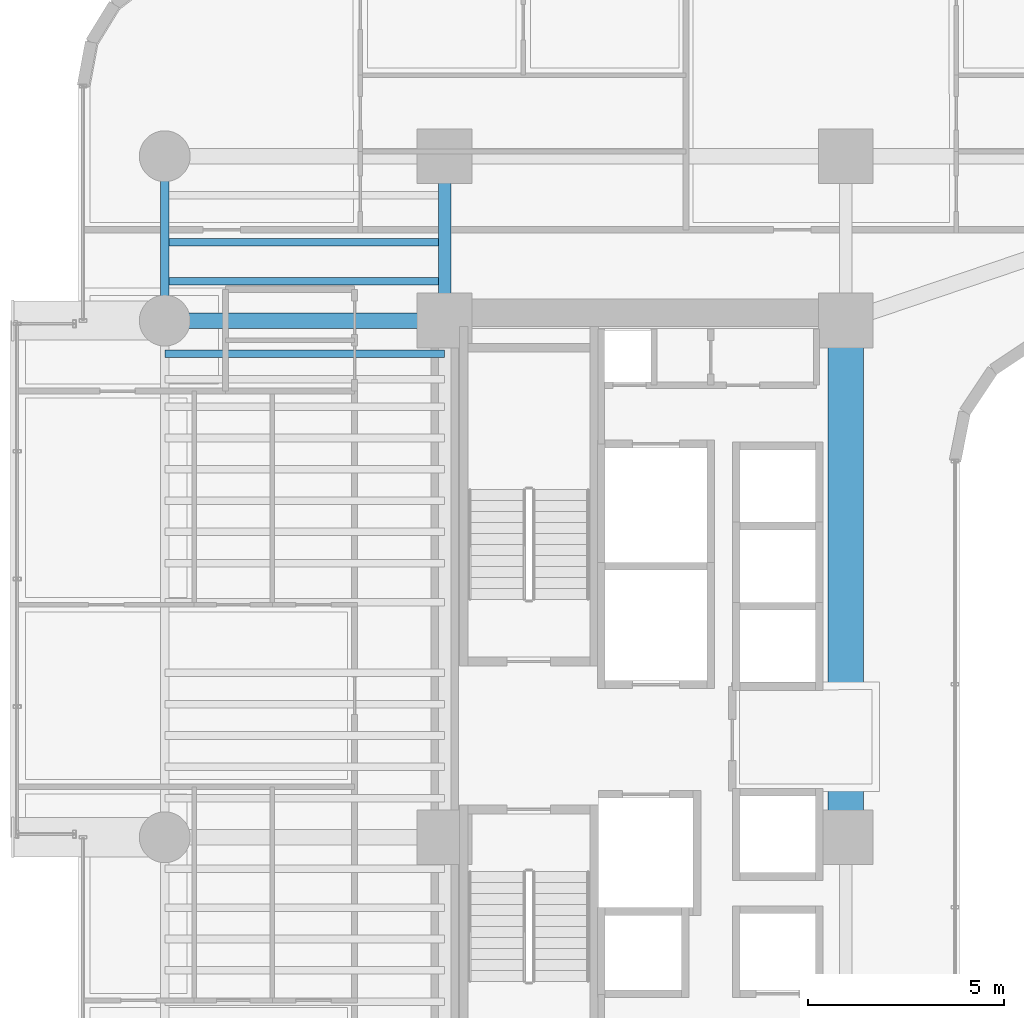
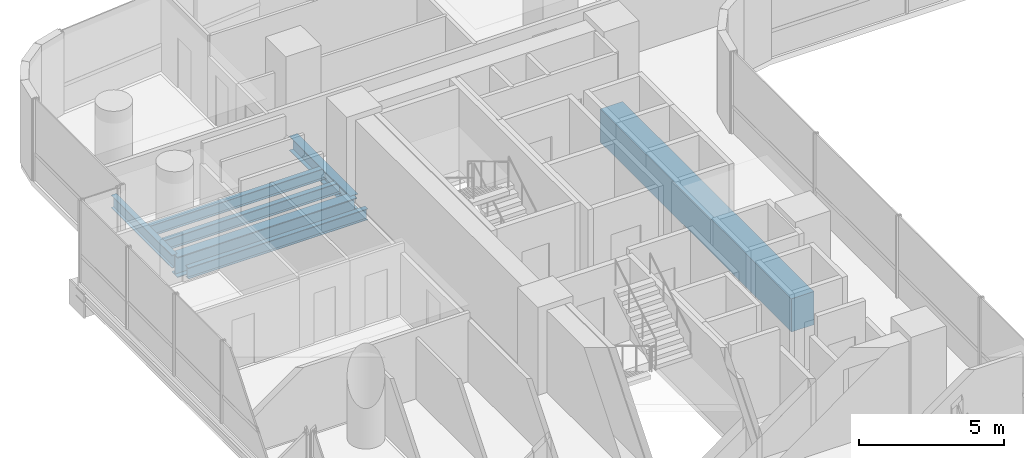
# One storey, part 9 of 40: 7 beams.
"""IFC4 building model written with IfcOpenShell, lengths in metres."""

from ifc_helpers import new_model, si_unit, direction, frame, origin, origin_2d, place, context, subcontext, project, spatial, rectangle, i_section, extrude, source, transform, mapped, material, material_profile, profile_set, type_object, element, save


model = new_model("IFC4")

# Units and contexts
model_context = context("Model", 3, precision=1e-05, world=origin(), true_north=direction((0.0, 1.0)))
body_context = subcontext(model_context, "Body", "Model", "MODEL_VIEW")
ifc_project = project(units=[si_unit("LENGTHUNIT", "METRE"), si_unit("AREAUNIT", "SQUARE_METRE"), si_unit("VOLUMEUNIT", "CUBIC_METRE"), si_unit("PLANEANGLEUNIT", "RADIAN"), si_unit("MASSUNIT", "GRAM", prefix="KILO")], contexts=[model_context])

# Site, building, storey
site_placement = place(None, origin())
site = spatial("IfcSite", under=ifc_project, at=site_placement, CompositionType="ELEMENT")
building_placement = place(site_placement, origin())
building = spatial("IfcBuilding", under=site, at=building_placement, Name="Valdorenza Pilgrim Sanctuary Tower", CompositionType="ELEMENT")
storey_placement = place(building_placement, frame((0.0, 0.0, 44.5)))
storey = spatial("IfcBuildingStorey", under=building, at=storey_placement, Name="L10", CompositionType="ELEMENT", Elevation=44.5)

# Beams
ifc_material_1 = material(Name="Concrete C60/75", Category="concrete")
ifc_material_profile_1 = material_profile(ifc_material_1, rectangle(XDim=0.89990234375, YDim=1.39990234375, at=origin_2d()), Name="RC 1400x900")
ifc_profile_set_1 = profile_set([ifc_material_profile_1], Name="Concrete C60/75")
beam_type_1 = type_object("IfcBeamType", Name="STR-BM-LNT-1400", PredefinedType="LINTEL", material=ifc_profile_set_1)
shared_shape_1 = source(origin(), body_context, "Body", "SweptSolid", [
    extrude(rectangle(XDim=0.89990234375, YDim=1.39990234375, at=origin_2d()), origin(), (0.0, 0.0, 1.0), 13.2001953125),
])
beam_1_placement = place(storey_placement, frame((-12.39990234375, -2.60009765625, -0.739990234375), z_axis=(0.0, 1.0, 0.0), x_axis=(-1.0, 0.0, 0.0)))
element("IfcBeam", 1, at=beam_1_placement, inside=storey, type_object=beam_type_1, Name="L10 Core A Coupling Lintel Girder", PredefinedType="LINTEL", context=body_context, shape_type="MappedRepresentation", body=[
    mapped(shared_shape_1, transform((0.0, 0.0, 0.0), x_axis=(1.0, 0.0, 0.0), y_axis=(0.0, 1.0, 0.0), z_axis=(0.0, 0.0, 1.0), scale=1.0)),
])
ifc_material_2 = material(Name="Steel ASTM A992 Grade 50", Category="steel")
ifc_material_profile_2 = material_profile(ifc_material_2, i_section(OverallWidth=0.214111328125, OverallDepth=0.549072265625, WebThickness=0.0146484375, FlangeThickness=0.023681640625, at=origin_2d()), Name="W21X93")
ifc_profile_set_2 = profile_set([ifc_material_profile_2], Name="Steel ASTM A992 Grade 50")
beam_type_2 = type_object("IfcBeamType", Name="STR-BM-SPN-W21A", PredefinedType="SPANDREL", material=ifc_profile_set_2)
shared_shape_2 = source(origin(), body_context, "Body", "SweptSolid", [
    extrude(i_section(OverallWidth=0.214111328125, OverallDepth=0.549072265625, WebThickness=0.0146484375, FlangeThickness=0.023681640625, at=origin_2d()), origin(), (0.0, 0.0, 1.0), 4.199951171875),
])
beam_2_placement = place(storey_placement, frame((-29.800048828125, 10.60009765625, -0.514404296875), z_axis=(0.0, 1.0, 0.0), x_axis=(-1.0, 0.0, 0.0)))
element("IfcBeam", 2, at=beam_2_placement, inside=storey, type_object=beam_type_2, Name="L10 Spandrel Beam WA-W-N1N2", PredefinedType="SPANDREL", context=body_context, shape_type="MappedRepresentation", body=[
    mapped(shared_shape_2, transform((0.0, 0.0, 0.0), x_axis=(1.0, 0.0, 0.0), y_axis=(0.0, 1.0, 0.0), z_axis=(0.0, 0.0, 1.0), scale=1.0)),
])
ifc_material_profile_3 = material_profile(ifc_material_2, i_section(OverallWidth=0.323974609375, OverallDepth=0.611083984375, WebThickness=0.0126953125, FlangeThickness=0.01904296875, at=origin_2d()), Name="W24X104")
ifc_profile_set_3 = profile_set([ifc_material_profile_3], Name="Steel ASTM A992 Grade 50")
beam_type_3 = type_object("IfcBeamType", Name="STR-BM-GRD-W24B", PredefinedType="BEAM", material=ifc_profile_set_3)
shared_shape_3 = source(origin(), body_context, "Body", "SweptSolid", [
    extrude(i_section(OverallWidth=0.323974609375, OverallDepth=0.611083984375, WebThickness=0.0126953125, FlangeThickness=0.01904296875, at=origin_2d()), origin(), (0.0, 0.0, 1.0), 4.199951171875),
])
beam_3_placement = place(storey_placement, frame((-22.64990234375, 10.60009765625, -0.54541015625), z_axis=(0.0, 1.0, 0.0), x_axis=(-1.0, 0.0, 0.0)))
element("IfcBeam", 3, at=beam_3_placement, inside=storey, type_object=beam_type_3, Name="L10 Core Tie Girder CA-W-N1N2", PredefinedType="BEAM", context=body_context, shape_type="MappedRepresentation", body=[
    mapped(shared_shape_3, transform((0.0, 0.0, 0.0), x_axis=(1.0, 0.0, 0.0), y_axis=(0.0, 1.0, 0.0), z_axis=(0.0, 0.0, 1.0), scale=1.0)),
])
ifc_material_profile_4 = material_profile(ifc_material_2, i_section(OverallWidth=0.193115234375, OverallDepth=0.466064453125, WebThickness=0.011474609375, FlangeThickness=0.01904296875, at=origin_2d()), Name="W18X65")
ifc_profile_set_4 = profile_set([ifc_material_profile_4], Name="Steel ASTM A992 Grade 50")
beam_type_4 = type_object("IfcBeamType", Name="STR-BM-JST-W18A", PredefinedType="JOIST", material=ifc_profile_set_4)
shared_shape_4 = source(origin(), body_context, "Body", "SweptSolid", [
    extrude(i_section(OverallWidth=0.193115234375, OverallDepth=0.466064453125, WebThickness=0.011474609375, FlangeThickness=0.01904296875, at=origin_2d()), origin(), (0.0, 0.0, 1.0), 7.150146484375),
])
for number, where, z_axis, x_axis, name in (
    (4, (-29.800048828125, 9.75, -0.472900390625), (1.0, 0.0, 0.0), (0.0, 1.0, 0.0), "L10 Composite Floor Joist JST-WA-23"),
    (5, (-29.800048828125, 11.60009765625, -0.472900390625), (1.0, 0.0, 0.0), (0.0, 1.0, 0.0), "L10 Composite Floor Joist JST-WA-24"),
    (6, (-29.800048828125, 12.60009765625, -0.472900390625), (1.0, 0.0, 0.0), (0.0, 1.0, 0.0), "L10 Composite Floor Joist JST-WA-25"),
):
    element("IfcBeam", number, at=place(storey_placement, frame(where, z_axis=z_axis, x_axis=x_axis)), inside=storey, type_object=beam_type_4, Name=name, PredefinedType="JOIST", context=body_context, shape_type="MappedRepresentation", body=[
        mapped(shared_shape_4, transform((0.0, 0.0, 0.0), x_axis=(1.0, 0.0, 0.0), y_axis=(0.0, 1.0, 0.0), z_axis=(0.0, 0.0, 1.0), scale=1.0)),
    ])
ifc_material_profile_5 = material_profile(ifc_material_2, i_section(OverallWidth=0.39990234375, OverallDepth=0.862060546875, WebThickness=0.019775390625, FlangeThickness=0.032470703125, at=origin_2d()), Name="W33X221")
ifc_profile_set_5 = profile_set([ifc_material_profile_5], Name="Steel ASTM A992 Grade 50")
beam_type_5 = type_object("IfcBeamType", Name="STR-BM-GRD-W33", PredefinedType="BEAM", material=ifc_profile_set_5)
shared_shape_5 = source(origin(), body_context, "Body", "SweptSolid", [
    extrude(i_section(OverallWidth=0.39990234375, OverallDepth=0.862060546875, WebThickness=0.019775390625, FlangeThickness=0.032470703125, at=origin_2d()), origin(), (0.0, 0.0, 1.0), 7.150146484375),
])
beam_4_placement = place(storey_placement, frame((-29.800048828125, 10.60009765625, -0.6708984375), z_axis=(1.0, 0.0, 0.0), x_axis=(0.0, 1.0, 0.0)))
element("IfcBeam", 7, at=beam_4_placement, inside=storey, type_object=beam_type_5, Name="L10 Floor Girder WA-XW-N1", PredefinedType="BEAM", context=body_context, shape_type="MappedRepresentation", body=[
    mapped(shared_shape_5, transform((0.0, 0.0, 0.0), x_axis=(1.0, 0.0, 0.0), y_axis=(0.0, 1.0, 0.0), z_axis=(0.0, 0.0, 1.0), scale=1.0)),
])

save(model, "model.ifc")
